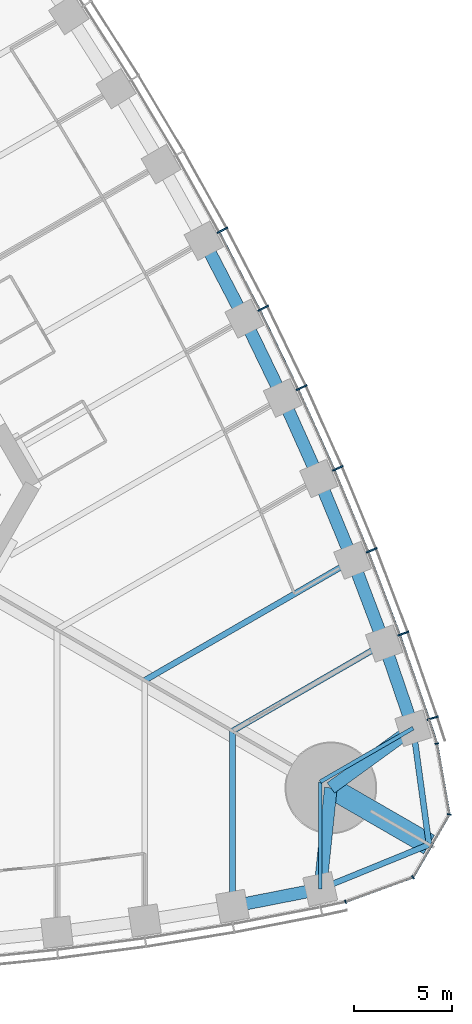
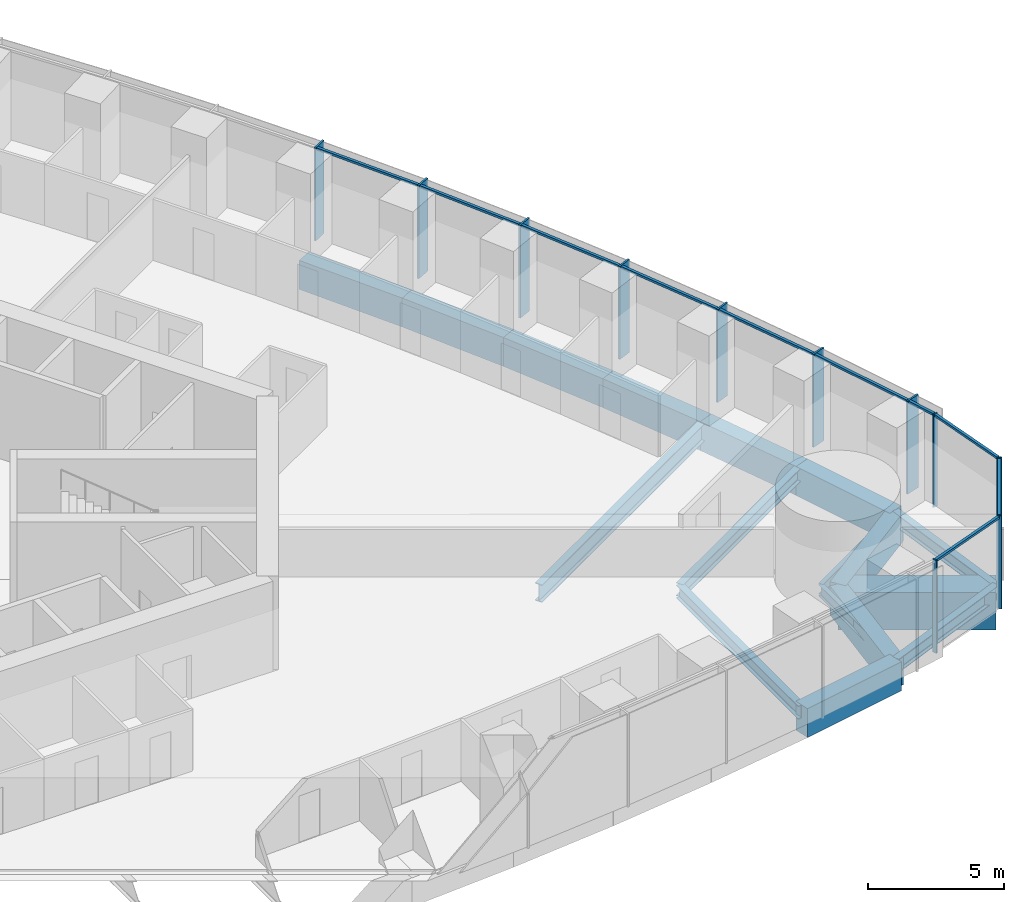
# One storey, part 6 of 18: 21 members, 17 beams, 2 elements without a shape of their own.
"""IFC4 building model written with IfcOpenShell, lengths in metres."""

from ifc_helpers import new_model, si_unit, direction, frame, origin, origin_2d, place, context, subcontext, project, spatial, rectangle, i_section, extrude, material, material_profile, profile_set, type_object, element, aggregate, save


model = new_model("IFC4")

# Units and contexts
model_context = context("Model", 3, precision=1e-05, world=origin(), true_north=direction((0.0, 1.0)))
body_context = subcontext(model_context, "Body", "Model", "MODEL_VIEW")
ifc_project = project(units=[si_unit("LENGTHUNIT", "METRE"), si_unit("AREAUNIT", "SQUARE_METRE"), si_unit("VOLUMEUNIT", "CUBIC_METRE"), si_unit("PLANEANGLEUNIT", "RADIAN"), si_unit("MASSUNIT", "GRAM", prefix="KILO")], contexts=[model_context])

# Site, building, storey
site_placement = place(None, origin())
site = spatial("IfcSite", under=ifc_project, at=site_placement, CompositionType="ELEMENT")
building_placement = place(site_placement, origin())
building = spatial("IfcBuilding", under=site, at=building_placement, Name="Trefoil Bronze Tower", CompositionType="ELEMENT")
storey_placement = place(building_placement, frame((0.0, 0.0, 50.10009765625)))
storey = spatial("IfcBuildingStorey", under=building, at=storey_placement, Name="L11", CompositionType="ELEMENT", Elevation=50.10009765625)

# Curtain wall, members
ifc_material_1 = material(Name="Tinted solar-control glass", Category="glass")
curtain_wall_type_1 = type_object("IfcCurtainWallType", Name="Bronze office curtain wall", PredefinedType="USERDEFINED", material=ifc_material_1)
curtain_wall_1_placement = place(storey_placement, origin())
curtain_wall_1 = element("IfcCurtainWall", 1, at=curtain_wall_1_placement, inside=storey, type_object=curtain_wall_type_1, Name="CW-A L11 F2", ObjectType="CURTAIN WALL", PredefinedType="USERDEFINED")
ifc_material_2 = material(Name="Bronze-finish aluminium", Category="aluminium")
ifc_material_profile_1 = material_profile(ifc_material_2, rectangle(XDim=0.60009765625, YDim=0.080078125, at=origin_2d()), Name="CW-A mullion")
ifc_profile_set_1 = profile_set([ifc_material_profile_1], Name="Bronze-finish aluminium")
member_type_1 = type_object("IfcMemberType", Name="Bronze office curtain wall mullion", PredefinedType="MULLION", material=ifc_profile_set_1)
member_1_placement = place(storey_placement, frame((37.265869140625, -14.92626953125, 0.0), z_axis=(0.0, 0.0, 1.0), x_axis=(-0.947850592929, -0.318715003543, 0.0)))
member_1 = element("IfcMember", 2, at=member_1_placement, type_object=member_type_1, Name="CW-A L11 F2 mullion 2", PredefinedType="MULLION", context=body_context, shape_type="SweptSolid", body=[
    extrude(rectangle(XDim=0.60009765625, YDim=0.080078125, at=origin_2d()), origin(), (0.0, 0.0, 1.0), 4.179931640625),
])
member_2_placement = place(storey_placement, frame((35.761962890625, -10.590087890625, 0.0), z_axis=(0.0, 0.0, 1.0), x_axis=(-0.939860248316, -0.341559238839, 0.0)))
member_2 = element("IfcMember", 3, at=member_2_placement, type_object=member_type_1, Name="CW-A L11 F2 mullion 3", PredefinedType="MULLION", context=body_context, shape_type="SweptSolid", body=[
    extrude(rectangle(XDim=0.60009765625, YDim=0.080078125, at=origin_2d()), origin(), (0.0, 0.0, 1.0), 4.179931640625),
])
member_3_placement = place(storey_placement, frame((34.138916015625, -6.32080078125, 0.0), z_axis=(0.0, 0.0, 1.0), x_axis=(-0.929413605838, -0.369039766534, 0.0)))
member_3 = element("IfcMember", 4, at=member_3_placement, type_object=member_type_1, Name="CW-A L11 F2 mullion 4", PredefinedType="MULLION", context=body_context, shape_type="SweptSolid", body=[
    extrude(rectangle(XDim=0.60009765625, YDim=0.080078125, at=origin_2d()), origin(), (0.0, 0.0, 1.0), 4.179931640625),
])
member_4_placement = place(storey_placement, frame((32.39892578125, -2.119384765625, 0.0), z_axis=(0.0, 0.0, 1.0), x_axis=(-0.918213748442, -0.396085233469, 0.0)))
member_4 = element("IfcMember", 5, at=member_4_placement, type_object=member_type_1, Name="CW-A L11 F2 mullion 5", PredefinedType="MULLION", context=body_context, shape_type="SweptSolid", body=[
    extrude(rectangle(XDim=0.60009765625, YDim=0.080078125, at=origin_2d()), origin(), (0.0, 0.0, 1.0), 4.179931640625),
])
member_5_placement = place(storey_placement, frame((30.543212890625, 2.015380859375, 0.0), z_axis=(0.0, 0.0, 1.0), x_axis=(-0.906269346572, -0.422700687798, 0.0)))
member_5 = element("IfcMember", 6, at=member_5_placement, type_object=member_type_1, Name="CW-A L11 F2 mullion 6", PredefinedType="MULLION", context=body_context, shape_type="SweptSolid", body=[
    extrude(rectangle(XDim=0.60009765625, YDim=0.080078125, at=origin_2d()), origin(), (0.0, 0.0, 1.0), 4.179931640625),
])
member_6_placement = place(storey_placement, frame((28.57275390625, 6.084228515625, 0.0), z_axis=(0.0, 0.0, 1.0), x_axis=(-0.893587025891, -0.448889994497, 0.0)))
member_6 = element("IfcMember", 7, at=member_6_placement, type_object=member_type_1, Name="CW-A L11 F2 mullion 7", PredefinedType="MULLION", context=body_context, shape_type="SweptSolid", body=[
    extrude(rectangle(XDim=0.60009765625, YDim=0.080078125, at=origin_2d()), origin(), (0.0, 0.0, 1.0), 4.179931640625),
])
member_7_placement = place(storey_placement, frame((26.488525390625, 10.0869140625, 0.0), z_axis=(0.0, 0.0, 1.0), x_axis=(-0.880171454588, -0.474655886437, 0.0)))
member_7 = element("IfcMember", 8, at=member_7_placement, type_object=member_type_1, Name="CW-A L11 F2 mullion 8", PredefinedType="MULLION", context=body_context, shape_type="SweptSolid", body=[
    extrude(rectangle(XDim=0.60009765625, YDim=0.080078125, at=origin_2d()), origin(), (0.0, 0.0, 1.0), 4.179931640625),
])
ifc_material_3 = material(Name="Bronze-finish aluminium", Category="aluminium")
ifc_material_profile_2 = material_profile(ifc_material_3, rectangle(XDim=0.1201171875, YDim=0.10009765625, at=origin_2d()), Name="CW-A transom")
ifc_profile_set_2 = profile_set([ifc_material_profile_2], Name="Bronze-finish aluminium")
member_type_2 = type_object("IfcMemberType", Name="Bronze office curtain wall transom", PredefinedType="USERDEFINED", material=ifc_profile_set_2)
member_8_placement = place(storey_placement, frame((37.4638671875, -16.1796875, 4.1298828125), z_axis=(-0.309624219148, 0.950859002648, 0.0), x_axis=(-0.950859002648, -0.309624219148, 0.0)))
member_8 = element("IfcMember", 9, at=member_8_placement, type_object=member_type_2, Name="CW-A L11 F2 transom 1", ObjectType="TRANSOM", PredefinedType="USERDEFINED", context=body_context, shape_type="SweptSolid", body=[
    extrude(rectangle(XDim=0.1201171875, YDim=0.10009765625, at=origin_2d()), origin(), (0.0, 0.0, 1.0), 1.21044921875),
])
member_9_placement = place(storey_placement, frame((37.06298828125, -14.951171875, 4.1298828125), z_axis=(-0.327689728493, 0.944785394595, 0.0), x_axis=(-0.944785394595, -0.327689728493, 0.0)))
member_9 = element("IfcMember", 10, at=member_9_placement, type_object=member_type_2, Name="CW-A L11 F2 transom 2", ObjectType="TRANSOM", PredefinedType="USERDEFINED", context=body_context, shape_type="SweptSolid", body=[
    extrude(rectangle(XDim=0.1201171875, YDim=0.10009765625, at=origin_2d()), origin(), (0.0, 0.0, 1.0), 4.502197265625),
])
member_10_placement = place(storey_placement, frame((35.559326171875, -10.61962890625, 4.1298828125), z_axis=(-0.355367327392, 0.934726731522, 0.0), x_axis=(-0.934726731522, -0.355367327392, 0.0)))
member_10 = element("IfcMember", 11, at=member_10_placement, type_object=member_type_2, Name="CW-A L11 F2 transom 3", ObjectType="TRANSOM", PredefinedType="USERDEFINED", context=body_context, shape_type="SweptSolid", body=[
    extrude(rectangle(XDim=0.1201171875, YDim=0.10009765625, at=origin_2d()), origin(), (0.0, 0.0, 1.0), 4.478515625),
])
member_11_placement = place(storey_placement, frame((33.937255859375, -6.3564453125, 4.1298828125), z_axis=(-0.382616149417, 0.923907399151, 0.0), x_axis=(-0.923907399151, -0.382616149417, 0.0)))
member_11 = element("IfcMember", 12, at=member_11_placement, type_object=member_type_2, Name="CW-A L11 F2 transom 4", ObjectType="TRANSOM", PredefinedType="USERDEFINED", context=body_context, shape_type="SweptSolid", body=[
    extrude(rectangle(XDim=0.1201171875, YDim=0.10009765625, at=origin_2d()), origin(), (0.0, 0.0, 1.0), 4.458984375),
])
member_12_placement = place(storey_placement, frame((32.1982421875, -2.16064453125, 4.1298828125), z_axis=(-0.409459746452, 0.912328184392, 0.0), x_axis=(-0.912328184392, -0.409459746452, 0.0)))
member_12 = element("IfcMember", 13, at=member_12_placement, type_object=member_type_2, Name="CW-A L11 F2 transom 5", ObjectType="TRANSOM", PredefinedType="USERDEFINED", context=body_context, shape_type="SweptSolid", body=[
    extrude(rectangle(XDim=0.1201171875, YDim=0.10009765625, at=origin_2d()), origin(), (0.0, 0.0, 1.0), 4.443359375),
])
member_13_placement = place(storey_placement, frame((30.34375, 1.96826171875, 4.1298828125), z_axis=(-0.435851763293, 0.900018466719, 0.0), x_axis=(-0.900018466719, -0.435851763293, 0.0)))
member_13 = element("IfcMember", 14, at=member_13_placement, type_object=member_type_2, Name="CW-A L11 F2 transom 6", ObjectType="TRANSOM", PredefinedType="USERDEFINED", context=body_context, shape_type="SweptSolid", body=[
    extrude(rectangle(XDim=0.1201171875, YDim=0.10009765625, at=origin_2d()), origin(), (0.0, 0.0, 1.0), 4.431884765625),
])
member_14_placement = place(storey_placement, frame((28.375, 6.031005859375, 4.1298828125), z_axis=(-0.461809621225, 0.886979071762, 0.0), x_axis=(-0.886979071762, -0.461809621225, 0.0)))
member_14 = element("IfcMember", 15, at=member_14_placement, type_object=member_type_2, Name="CW-A L11 F2 transom 7", ObjectType="TRANSOM", PredefinedType="USERDEFINED", context=body_context, shape_type="SweptSolid", body=[
    extrude(rectangle(XDim=0.1201171875, YDim=0.10009765625, at=origin_2d()), origin(), (0.0, 0.0, 1.0), 4.42431640625),
])
aggregate(curtain_wall_1, [member_1, member_2, member_3, member_4, member_5, member_6, member_7, member_8, member_9, member_10, member_11, member_12, member_13, member_14])

ifc_material_4 = material(Name="Tinted solar-control glass", Category="glass")
curtain_wall_type_2 = type_object("IfcCurtainWallType", Name="Bronze rounded corner curtain wall", PredefinedType="USERDEFINED", material=ifc_material_4)
curtain_wall_2_placement = place(storey_placement, origin())
curtain_wall_2 = element("IfcCurtainWall", 16, at=curtain_wall_2_placement, inside=storey, type_object=curtain_wall_type_2, Name="CW-B L11 K1", ObjectType="CURTAIN WALL", PredefinedType="USERDEFINED")
ifc_material_5 = material(Name="Bronze-finish aluminium", Category="aluminium")
ifc_material_profile_3 = material_profile(ifc_material_5, rectangle(XDim=0.199951171875, YDim=0.06005859375, at=origin_2d()), Name="CW-B mullion")
ifc_profile_set_3 = profile_set([ifc_material_profile_3], Name="Bronze-finish aluminium")
member_type_3 = type_object("IfcMemberType", Name="Bronze rounded corner curtain wall mullion", PredefinedType="MULLION", material=ifc_profile_set_3)
member_15_placement = place(storey_placement, frame((32.796630859375, -24.3427734375, 0.0), z_axis=(0.0, 0.0, 1.0), x_axis=(-0.342020143326, 0.939692620786, 0.0)))
member_15 = element("IfcMember", 17, at=member_15_placement, type_object=member_type_3, Name="CW-B L11 K1 mullion 1", PredefinedType="MULLION", context=body_context, shape_type="SweptSolid", body=[
    extrude(rectangle(XDim=0.199951171875, YDim=0.06005859375, at=origin_2d()), origin(), (0.0, 0.0, 1.0), 4.179931640625),
])
member_16_placement = place(storey_placement, frame((36.2548828125, -23.07763671875, 0.0), z_axis=(0.0, 0.0, 1.0), x_axis=(-0.642787609687, 0.766044443119, 0.0)))
member_16 = element("IfcMember", 18, at=member_16_placement, type_object=member_type_3, Name="CW-B L11 K1 mullion 2", PredefinedType="MULLION", context=body_context, shape_type="SweptSolid", body=[
    extrude(rectangle(XDim=0.199951171875, YDim=0.06005859375, at=origin_2d()), origin(), (0.0, 0.0, 1.0), 4.179931640625),
])
member_17_placement = place(storey_placement, frame((38.11328125, -19.85888671875, 0.0), z_axis=(0.0, 0.0, 1.0), x_axis=(-0.984807753012, 0.173648177667, 0.0)))
member_17 = element("IfcMember", 19, at=member_17_placement, type_object=member_type_3, Name="CW-B L11 K1 mullion 3", PredefinedType="MULLION", context=body_context, shape_type="SweptSolid", body=[
    extrude(rectangle(XDim=0.199951171875, YDim=0.06005859375, at=origin_2d()), origin(), (0.0, 0.0, 1.0), 4.179931640625),
])
member_18_placement = place(storey_placement, frame((37.479736328125, -16.2314453125, 0.0), z_axis=(0.0, 0.0, 1.0), x_axis=(-0.984807753012, -0.173648177667, 0.0)))
member_18 = element("IfcMember", 20, at=member_18_placement, type_object=member_type_3, Name="CW-B L11 K1 mullion 4", PredefinedType="MULLION", context=body_context, shape_type="SweptSolid", body=[
    extrude(rectangle(XDim=0.199951171875, YDim=0.06005859375, at=origin_2d()), origin(), (0.0, 0.0, 1.0), 4.179931640625),
])
ifc_material_6 = material(Name="Bronze-finish aluminium", Category="aluminium")
ifc_material_profile_4 = material_profile(ifc_material_6, rectangle(XDim=0.1201171875, YDim=0.10009765625, at=origin_2d()), Name="CW-B transom")
ifc_profile_set_4 = profile_set([ifc_material_profile_4], Name="Bronze-finish aluminium")
member_type_4 = type_object("IfcMemberType", Name="Bronze rounded corner curtain wall transom", PredefinedType="USERDEFINED", material=ifc_profile_set_4)
member_19_placement = place(storey_placement, frame((32.82470703125, -24.33251953125, 4.1298828125), z_axis=(0.939688092095, 0.342032585545, 0.0), x_axis=(-0.342032585545, 0.939688092095, 0.0)))
member_19 = element("IfcMember", 21, at=member_19_placement, type_object=member_type_4, Name="CW-B L11 K1 transom 1", ObjectType="TRANSOM", PredefinedType="USERDEFINED", context=body_context, shape_type="SweptSolid", body=[
    extrude(rectangle(XDim=0.1201171875, YDim=0.10009765625, at=origin_2d()), origin(), (0.0, 0.0, 1.0), 3.588134765625),
])
member_20_placement = place(storey_placement, frame((36.292236328125, -23.02490234375, 4.1298828125), z_axis=(0.500024788772, 0.866011091507, 0.0), x_axis=(-0.866011091507, 0.500024788772, 0.0)))
member_20 = element("IfcMember", 22, at=member_20_placement, type_object=member_type_4, Name="CW-B L11 K1 transom 2", ObjectType="TRANSOM", PredefinedType="USERDEFINED", context=body_context, shape_type="SweptSolid", body=[
    extrude(rectangle(XDim=0.1201171875, YDim=0.10009765625, at=origin_2d()), origin(), (0.0, 0.0, 1.0), 3.588134765625),
])
member_21_placement = place(storey_placement, frame((38.10791015625, -19.794677734375, 4.1298828125), z_axis=(-0.17363783606, 0.984809576461, 0.0), x_axis=(-0.984809576461, -0.17363783606, 0.0)))
member_21 = element("IfcMember", 23, at=member_21_placement, type_object=member_type_4, Name="CW-B L11 K1 transom 3", ObjectType="TRANSOM", PredefinedType="USERDEFINED", context=body_context, shape_type="SweptSolid", body=[
    extrude(rectangle(XDim=0.1201171875, YDim=0.10009765625, at=origin_2d()), origin(), (0.0, 0.0, 1.0), 3.588134765625),
])
aggregate(curtain_wall_2, [member_15, member_16, member_17, member_18, member_19, member_20, member_21])

# Beams
ifc_material_7 = material(Name="Concrete B80", Category="concrete")
ifc_material_profile_5 = material_profile(ifc_material_7, rectangle(XDim=1.10009765625, YDim=1.699951171875, at=origin_2d()), Name="RC 1100x1700")
ifc_profile_set_5 = profile_set([ifc_material_profile_5], Name="Concrete B80")
beam_type_1 = type_object("IfcBeamType", Name="Corner cantilever RC 1100x1700", PredefinedType="BEAM", material=ifc_profile_set_5)
beam_1_placement = place(storey_placement, frame((32.04296875, -18.5, -1.050048828125), z_axis=(0.866030348588, -0.499991435252, 0.0), x_axis=(0.499991435252, 0.866030348588, 0.0)))
element("IfcBeam", 24, at=beam_1_placement, inside=storey, type_object=beam_type_1, Name="Corner cantilever K1 L11", PredefinedType="BEAM", context=body_context, shape_type="SweptSolid", body=[
    extrude(rectangle(XDim=1.10009765625, YDim=1.699951171875, at=origin_2d()), origin(), (0.0, 0.0, 1.0), 5.81396484375),
])
ifc_material_8 = material(Name="Steel C355", Category="steel")
ifc_material_profile_6 = material_profile(ifc_material_8, i_section(OverallWidth=0.300048828125, OverallDepth=0.60009765625, WebThickness=0.015380859375, FlangeThickness=0.030029296875, FilletRadius=0.027099609375, at=origin_2d()), Name="HEB 600")
ifc_profile_set_6 = profile_set([ifc_material_profile_6], Name="Steel C355")
beam_type_2 = type_object("IfcBeamType", Name="Corner edge beam HEB 600", PredefinedType="BEAM", material=ifc_profile_set_6)
beam_2_placement = place(storey_placement, frame((31.5, -23.684814453125, -0.5), z_axis=(0.925786874353, 0.378045848114, 0.0), x_axis=(-0.378045848114, 0.925786874353, 0.0)))
element("IfcBeam", 25, at=beam_2_placement, inside=storey, type_object=beam_type_2, Name="Corner edge beam F1A L11", PredefinedType="BEAM", context=body_context, shape_type="SweptSolid", body=[
    extrude(i_section(OverallWidth=0.300048828125, OverallDepth=0.60009765625, WebThickness=0.015380859375, FlangeThickness=0.030029296875, FilletRadius=0.027099609375, at=origin_2d()), origin(), (0.0, 0.0, 1.0), 6.025390625),
])
beam_3_placement = place(storey_placement, frame((36.26171875, -15.4375, -0.5), z_axis=(0.13550196505, -0.990777077585, 0.0), x_axis=(0.990777077585, 0.13550196505, 0.0)))
element("IfcBeam", 26, at=beam_3_placement, inside=storey, type_object=beam_type_2, Name="Corner edge beam F2B L11", PredefinedType="BEAM", context=body_context, shape_type="SweptSolid", body=[
    extrude(i_section(OverallWidth=0.300048828125, OverallDepth=0.60009765625, WebThickness=0.015380859375, FlangeThickness=0.030029296875, FilletRadius=0.027099609375, at=origin_2d()), origin(), (0.0, 0.0, 1.0), 6.025146484375),
])
ifc_material_9 = material(Name="Concrete B80", Category="concrete")
ifc_material_profile_7 = material_profile(ifc_material_9, rectangle(XDim=0.64990234375, YDim=1.300048828125, at=origin_2d()), Name="RC 650x1300")
ifc_profile_set_7 = profile_set([ifc_material_profile_7], Name="Concrete B80")
beam_type_3 = type_object("IfcBeamType", Name="End spandrel beam RC 650x1300", PredefinedType="SPANDREL", material=ifc_profile_set_7)
for number, where, z_axis, x_axis, name in (
    (27, (31.5, -23.684814453125, -0.85009765625), (0.104153327908, 0.994561252154, 0.0), (-0.994561252154, 0.104153327908, 0.0), "Spandrel F1.16 L11"),
    (28, (32.04296875, -18.5, -0.85009765625), (0.809254211267, 0.587458612624, 0.0), (-0.587458612624, 0.809254211267, 0.0), "Spandrel F2.1 L11"),
):
    element("IfcBeam", number, at=place(storey_placement, frame(where, z_axis=z_axis, x_axis=x_axis)), inside=storey, type_object=beam_type_3, Name=name, PredefinedType="SPANDREL", context=body_context, shape_type="SweptSolid", body=[
        extrude(rectangle(XDim=0.64990234375, YDim=1.300048828125, at=origin_2d()), origin(), (0.0, 0.0, 1.0), 5.213134765625),
    ])
ifc_material_10 = material(Name="Steel C355", Category="steel")
ifc_material_profile_8 = material_profile(ifc_material_10, i_section(OverallWidth=0.300048828125, OverallDepth=0.590087890625, WebThickness=0.012939453125, FlangeThickness=0.02490234375, FilletRadius=0.027099609375, at=origin_2d()), Name="HEA 600")
ifc_profile_set_8 = profile_set([ifc_material_profile_8], Name="Steel C355")
beam_type_4 = type_object("IfcBeamType", Name="Floor beam HEA 600", PredefinedType="BEAM", material=ifc_profile_set_8)
for number, where, z_axis, x_axis, name in (
    (29, (27.0, -24.56787109375, -0.4951171875), (0.0, 1.0, 0.0), (-1.0, 0.0, 0.0), "Floor beam F1/+6 L11"),
    (30, (34.7763671875, -11.0986328125, -0.4951171875), (-0.866022587327, -0.500004878216, 0.0), (0.500004878216, -0.866022587327, 0.0), "Floor beam F2/-6 L11"),
):
    element("IfcBeam", number, at=place(storey_placement, frame(where, z_axis=z_axis, x_axis=x_axis)), inside=storey, type_object=beam_type_4, Name=name, PredefinedType="BEAM", context=body_context, shape_type="SweptSolid", body=[
        extrude(i_section(OverallWidth=0.300048828125, OverallDepth=0.590087890625, WebThickness=0.012939453125, FlangeThickness=0.02490234375, FilletRadius=0.027099609375, at=origin_2d()), origin(), (0.0, 0.0, 1.0), 8.9794921875),
    ])
ifc_material_11 = material(Name="Steel C355", Category="steel")
ifc_material_profile_9 = material_profile(ifc_material_11, i_section(OverallWidth=0.300048828125, OverallDepth=0.800048828125, WebThickness=0.017578125, FlangeThickness=0.032958984375, FilletRadius=0.030029296875, at=origin_2d()), Name="HEB 800")
ifc_profile_set_9 = profile_set([ifc_material_profile_9], Name="Steel C355")
beam_type_5 = type_object("IfcBeamType", Name="Floor beam HEB 800", PredefinedType="BEAM", material=ifc_profile_set_9)
beam_4_placement = place(storey_placement, frame((33.159912109375, -6.8359375, -0.60009765625), z_axis=(-0.866024070878, -0.500002308654, 0.0), x_axis=(0.500002308654, -0.866024070878, 0.0)))
element("IfcBeam", 31, at=beam_4_placement, inside=storey, type_object=beam_type_5, Name="Floor beam F2/-5 L11", PredefinedType="BEAM", context=body_context, shape_type="SweptSolid", body=[
    extrude(i_section(OverallWidth=0.300048828125, OverallDepth=0.800048828125, WebThickness=0.017578125, FlangeThickness=0.032958984375, FilletRadius=0.030029296875, at=origin_2d()), origin(), (0.0, 0.0, 1.0), 12.30908203125),
])
ifc_material_12 = material(Name="Steel C355", Category="steel")
ifc_material_profile_10 = material_profile(ifc_material_12, i_section(OverallWidth=0.199951171875, OverallDepth=0.5, WebThickness=0.01025390625, FlangeThickness=0.01611328125, FilletRadius=0.02099609375, at=origin_2d()), Name="IPE 500")
ifc_profile_set_10 = profile_set([ifc_material_profile_10], Name="Steel C355")
beam_type_6 = type_object("IfcBeamType", Name="Floor beam IPE 500", PredefinedType="BEAM", material=ifc_profile_set_10)
for number, where, z_axis, x_axis, name in (
    (32, (31.5, -23.684814453125, -0.4501953125), (0.0, 1.0, 0.0), (-1.0, 0.0, 0.0), "Floor beam F1/+7 L11"),
    (33, (36.26171875, -15.4375, -0.4501953125), (-0.866037702141, -0.499978698016, 0.0), (0.499978698016, -0.866037702141, 0.0), "Floor beam F2/-7 L11"),
):
    element("IfcBeam", number, at=place(storey_placement, frame(where, z_axis=z_axis, x_axis=x_axis)), inside=storey, type_object=beam_type_6, Name=name, PredefinedType="BEAM", context=body_context, shape_type="SweptSolid", body=[
        extrude(i_section(OverallWidth=0.199951171875, OverallDepth=0.5, WebThickness=0.01025390625, FlangeThickness=0.01611328125, FilletRadius=0.02099609375, at=origin_2d()), origin(), (0.0, 0.0, 1.0), 5.498291015625),
    ])
ifc_material_13 = material(Name="Concrete B80", Category="concrete")
ifc_material_profile_11 = material_profile(ifc_material_13, rectangle(XDim=0.64990234375, YDim=1.300048828125, at=origin_2d()), Name="RC 650x1300")
ifc_profile_set_11 = profile_set([ifc_material_profile_11], Name="Concrete B80")
beam_type_7 = type_object("IfcBeamType", Name="Spandrel beam RC 650x1300", PredefinedType="SPANDREL", material=ifc_profile_set_11)
beam_5_placement = place(storey_placement, frame((27.0, -24.56787109375, -0.85009765625), z_axis=(0.981284764092, 0.192562228283, 0.0), x_axis=(-0.192562228283, 0.981284764092, 0.0)))
element("IfcBeam", 34, at=beam_5_placement, inside=storey, type_object=beam_type_7, Name="Spandrel F1.15 L11", PredefinedType="SPANDREL", context=body_context, shape_type="SweptSolid", body=[
    extrude(rectangle(XDim=0.64990234375, YDim=1.300048828125, at=origin_2d()), origin(), (0.0, 0.0, 1.0), 4.5859375),
])
beam_6_placement = place(storey_placement, frame((36.26171875, -15.4375, -0.85009765625), z_axis=(-0.323883319148, 0.946097032855, 0.0), x_axis=(-0.946097032855, -0.323883319148, 0.0)))
element("IfcBeam", 35, at=beam_6_placement, inside=storey, type_object=beam_type_7, Name="Spandrel F2.2 L11", PredefinedType="SPANDREL", context=body_context, shape_type="SweptSolid", body=[
    extrude(rectangle(XDim=0.64990234375, YDim=1.300048828125, at=origin_2d()), origin(), (0.0, 0.0, 1.0), 4.586181640625),
])
beam_7_placement = place(storey_placement, frame((34.7763671875, -11.0986328125, -0.85009765625), z_axis=(-0.354571899767, 0.935028752443, 0.0), x_axis=(-0.935028752443, -0.354571899767, 0.0)))
element("IfcBeam", 36, at=beam_7_placement, inside=storey, type_object=beam_type_7, Name="Spandrel F2.3 L11", PredefinedType="SPANDREL", context=body_context, shape_type="SweptSolid", body=[
    extrude(rectangle(XDim=0.64990234375, YDim=1.300048828125, at=origin_2d()), origin(), (0.0, 0.0, 1.0), 4.558837890625),
])
beam_8_placement = place(storey_placement, frame((33.159912109375, -6.8359375, -0.85009765625), z_axis=(-0.382020825144, 0.924153715113, 0.0), x_axis=(-0.924153715113, -0.382020825144, 0.0)))
element("IfcBeam", 37, at=beam_8_placement, inside=storey, type_object=beam_type_7, Name="Spandrel F2.4 L11", PredefinedType="SPANDREL", context=body_context, shape_type="SweptSolid", body=[
    extrude(rectangle(XDim=0.64990234375, YDim=1.300048828125, at=origin_2d()), origin(), (0.0, 0.0, 1.0), 4.539306640625),
])
beam_9_placement = place(storey_placement, frame((31.42578125, -2.640869140625, -0.85009765625), z_axis=(-0.408945873044, 0.912558640812, 0.0), x_axis=(-0.912558640812, -0.408945873044, 0.0)))
element("IfcBeam", 38, at=beam_9_placement, inside=storey, type_object=beam_type_7, Name="Spandrel F2.5 L11", PredefinedType="SPANDREL", context=body_context, shape_type="SweptSolid", body=[
    extrude(rectangle(XDim=0.64990234375, YDim=1.300048828125, at=origin_2d()), origin(), (0.0, 0.0, 1.0), 4.5234375),
])
beam_10_placement = place(storey_placement, frame((29.575927734375, 1.487060546875, -0.85009765625), z_axis=(-0.435510013583, 0.900183885697, 0.0), x_axis=(-0.900183885697, -0.435510013583, 0.0)))
element("IfcBeam", 39, at=beam_10_placement, inside=storey, type_object=beam_type_7, Name="Spandrel F2.6 L11", PredefinedType="SPANDREL", context=body_context, shape_type="SweptSolid", body=[
    extrude(rectangle(XDim=0.64990234375, YDim=1.300048828125, at=origin_2d()), origin(), (0.0, 0.0, 1.0), 4.51220703125),
])
beam_11_placement = place(storey_placement, frame((27.61083984375, 5.548828125, -0.85009765625), z_axis=(-0.461637716615, 0.887068553495, 0.0), x_axis=(-0.887068553495, -0.461637716615, 0.0)))
element("IfcBeam", 40, at=beam_11_placement, inside=storey, type_object=beam_type_7, Name="Spandrel F2.7 L11", PredefinedType="SPANDREL", context=body_context, shape_type="SweptSolid", body=[
    extrude(rectangle(XDim=0.64990234375, YDim=1.300048828125, at=origin_2d()), origin(), (0.0, 0.0, 1.0), 4.50439453125),
])

save(model, "model.ifc")
